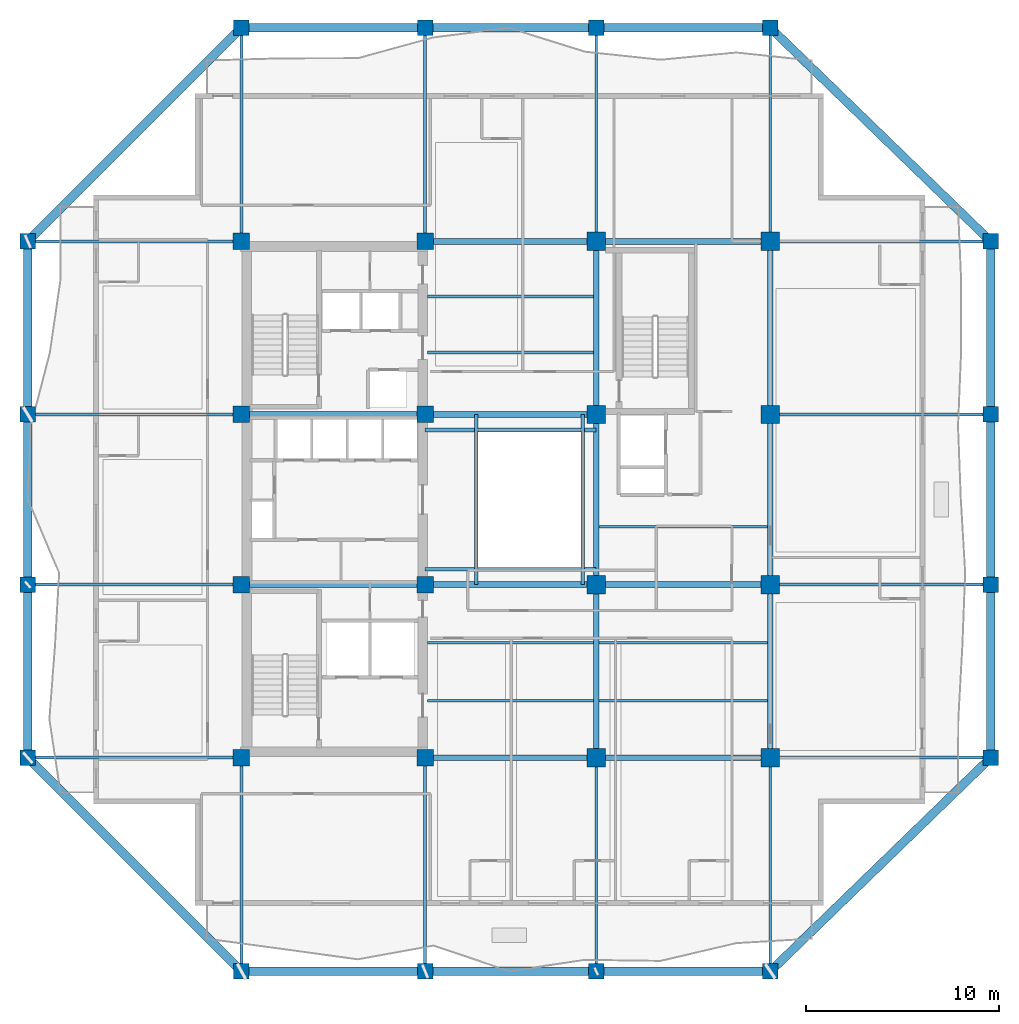
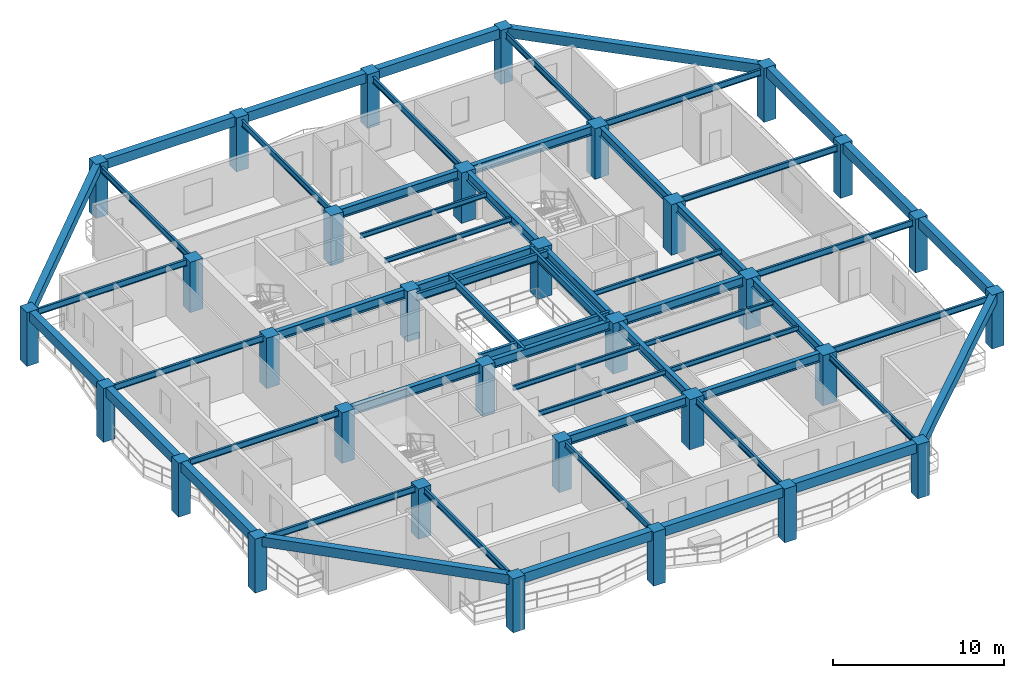
# One storey, part 1 of 13: 58 beams, 32 columns.
"""IFC4 building model written with IfcOpenShell, lengths in metres."""

from ifc_helpers import new_model, si_unit, direction, frame, origin, origin_2d, place, context, subcontext, project, spatial, rectangle, i_section, extrude, material, material_profile, profile_set, type_object, element, save


model = new_model("IFC4")

# Units and contexts
model_context = context("Model", 3, precision=1e-05, world=origin(), true_north=direction((0.0, 1.0)))
body_context = subcontext(model_context, "Body", "Model", "MODEL_VIEW")
ifc_project = project(units=[si_unit("LENGTHUNIT", "METRE"), si_unit("AREAUNIT", "SQUARE_METRE"), si_unit("VOLUMEUNIT", "CUBIC_METRE"), si_unit("PLANEANGLEUNIT", "RADIAN"), si_unit("MASSUNIT", "GRAM", prefix="KILO")], contexts=[model_context])

# Site, building, storey
site_placement = place(None, origin())
site = spatial("IfcSite", under=ifc_project, at=site_placement, CompositionType="ELEMENT")
building_placement = place(site_placement, origin())
building = spatial("IfcBuilding", under=site, at=building_placement, Name="Kundavana Baori Tower", CompositionType="ELEMENT")
storey_placement = place(building_placement, frame((0.0, 0.0, 177.14990234375)))
storey = spatial("IfcBuildingStorey", under=building, at=storey_placement, Name="L43", CompositionType="ELEMENT", Elevation=177.14990234375)

# Columns
ifc_material_1 = material(Name="Concrete C50/60", Category="concrete")
ifc_material_profile_1 = material_profile(ifc_material_1, rectangle(XDim=0.800048828125, YDim=0.800048828125, at=origin_2d()), Name="RC PF 800x800")
ifc_profile_set_1 = profile_set([ifc_material_profile_1], Name="Concrete C50/60")
column_type_1 = type_object("IfcColumnType", Name="COL-PF-800", PredefinedType="COLUMN", material=ifc_profile_set_1)
for number, where, z_axis, x_axis, name in (
    (1, (15.449951171875, 4.199951171875, 0.0), (0.0, 0.0, 1.0), (1.0, 0.0, 0.0), "L43 Stone-Clad Perimeter Frame Column PF-S1"),
    (2, (15.449951171875, 53.0, 0.0), (0.0, 0.0, 1.0), (1.0, 0.0, 0.0), "L43 Stone-Clad Perimeter Frame Column PF-N1"),
    (3, (24.949951171875, 4.199951171875, 0.0), (0.0, 0.0, 1.0), (1.0, 0.0, 0.0), "L43 Stone-Clad Perimeter Frame Column PF-S2"),
    (4, (24.949951171875, 53.0, 0.0), (0.0, 0.0, 1.0), (1.0, 0.0, 0.0), "L43 Stone-Clad Perimeter Frame Column PF-N2"),
    (5, (33.800048828125, 4.199951171875, 0.0), (0.0, 0.0, 1.0), (1.0, 0.0, 0.0), "L43 Stone-Clad Perimeter Frame Column PF-S3"),
    (6, (33.800048828125, 53.0, 0.0), (0.0, 0.0, 1.0), (1.0, 0.0, 0.0), "L43 Stone-Clad Perimeter Frame Column PF-N3"),
    (7, (42.800048828125, 4.199951171875, 0.0), (0.0, 0.0, 1.0), (1.0, 0.0, 0.0), "L43 Stone-Clad Perimeter Frame Column PF-S4"),
    (8, (42.800048828125, 53.0, 0.0), (0.0, 0.0, 1.0), (1.0, 0.0, 0.0), "L43 Stone-Clad Perimeter Frame Column PF-N4"),
    (9, (4.39990234375, 15.25, 0.0), (0.0, 0.0, 1.0), (1.0, 0.0, 0.0), "L43 Stone-Clad Perimeter Frame Column PF-W1"),
    (10, (54.199951171875, 15.25, 0.0), (0.0, 0.0, 1.0), (1.0, 0.0, 0.0), "L43 Stone-Clad Perimeter Frame Column PF-E1"),
    (11, (4.39990234375, 24.199951171875, 0.0), (0.0, 0.0, 1.0), (1.0, 0.0, 0.0), "L43 Stone-Clad Perimeter Frame Column PF-W2"),
    (12, (54.199951171875, 24.199951171875, 0.0), (0.0, 0.0, 1.0), (1.0, 0.0, 0.0), "L43 Stone-Clad Perimeter Frame Column PF-E2"),
    (13, (4.39990234375, 33.0, 0.0), (0.0, 0.0, 1.0), (1.0, 0.0, 0.0), "L43 Stone-Clad Perimeter Frame Column PF-W3"),
    (14, (54.199951171875, 33.0, 0.0), (0.0, 0.0, 1.0), (1.0, 0.0, 0.0), "L43 Stone-Clad Perimeter Frame Column PF-E3"),
    (15, (4.39990234375, 41.949951171875, 0.0), (0.0, 0.0, 1.0), (1.0, 0.0, 0.0), "L43 Stone-Clad Perimeter Frame Column PF-W4"),
    (16, (54.199951171875, 41.949951171875, 0.0), (0.0, 0.0, 1.0), (1.0, 0.0, 0.0), "L43 Stone-Clad Perimeter Frame Column PF-E4"),
):
    element("IfcColumn", number, at=place(storey_placement, frame(where, z_axis=z_axis, x_axis=x_axis)), inside=storey, type_object=column_type_1, Name=name, PredefinedType="COLUMN", context=body_context, shape_type="SweptSolid", body=[
        extrude(rectangle(XDim=0.800048828125, YDim=0.800048828125, at=origin_2d()), origin(), (0.0, 0.0, 1.0), 3.85009765625),
    ])
ifc_material_2 = material(Name="Concrete C50/60", Category="concrete")
ifc_material_profile_2 = material_profile(ifc_material_2, rectangle(XDim=0.85009765625, YDim=0.85009765625, at=origin_2d()), Name="RC 850x850")
ifc_profile_set_2 = profile_set([ifc_material_profile_2], Name="Concrete C50/60")
column_type_2 = type_object("IfcColumnType", Name="COL-RC-850", PredefinedType="COLUMN", material=ifc_profile_set_2)
for number, where, z_axis, x_axis, name in (
    (17, (15.449951171875, 15.25, 0.0), (0.0, 0.0, 1.0), (1.0, 0.0, 0.0), "L43 Interior Column IC-3C"),
    (18, (15.449951171875, 24.199951171875, 0.0), (0.0, 0.0, 1.0), (1.0, 0.0, 0.0), "L43 Interior Column IC-3D"),
    (19, (15.449951171875, 33.0, 0.0), (0.0, 0.0, 1.0), (1.0, 0.0, 0.0), "L43 Interior Column IC-3E"),
    (20, (15.449951171875, 41.949951171875, 0.0), (0.0, 0.0, 1.0), (1.0, 0.0, 0.0), "L43 Interior Column IC-3F"),
    (21, (24.949951171875, 15.25, 0.0), (0.0, 0.0, 1.0), (1.0, 0.0, 0.0), "L43 Interior Column IC-4C"),
    (22, (24.949951171875, 24.199951171875, 0.0), (0.0, 0.0, 1.0), (1.0, 0.0, 0.0), "L43 Interior Column IC-4D"),
    (23, (24.949951171875, 33.0, 0.0), (0.0, 0.0, 1.0), (1.0, 0.0, 0.0), "L43 Interior Column IC-4E"),
    (24, (24.949951171875, 41.949951171875, 0.0), (0.0, 0.0, 1.0), (1.0, 0.0, 0.0), "L43 Interior Column IC-4F"),
):
    element("IfcColumn", number, at=place(storey_placement, frame(where, z_axis=z_axis, x_axis=x_axis)), inside=storey, type_object=column_type_2, Name=name, PredefinedType="COLUMN", context=body_context, shape_type="SweptSolid", body=[
        extrude(rectangle(XDim=0.85009765625, YDim=0.85009765625, at=origin_2d()), origin(), (0.0, 0.0, 1.0), 3.60009765625),
    ])
ifc_material_3 = material(Name="Concrete C50/60", Category="concrete")
ifc_material_profile_3 = material_profile(ifc_material_3, rectangle(XDim=0.949951171875, YDim=0.949951171875, at=origin_2d()), Name="RC 950x950")
ifc_profile_set_3 = profile_set([ifc_material_profile_3], Name="Concrete C50/60")
column_type_3 = type_object("IfcColumnType", Name="COL-RC-950", PredefinedType="COLUMN", material=ifc_profile_set_3)
for number, where, z_axis, x_axis, name in (
    (25, (33.800048828125, 15.25, 0.0), (0.0, 0.0, 1.0), (1.0, 0.0, 0.0), "L43 Interior Column IC-5C"),
    (26, (33.800048828125, 24.199951171875, 0.0), (0.0, 0.0, 1.0), (1.0, 0.0, 0.0), "L43 Interior Column IC-5D"),
    (27, (33.800048828125, 33.0, 0.0), (0.0, 0.0, 1.0), (1.0, 0.0, 0.0), "L43 Interior Column IC-5E"),
    (28, (33.800048828125, 41.949951171875, 0.0), (0.0, 0.0, 1.0), (1.0, 0.0, 0.0), "L43 Interior Column IC-5F"),
    (29, (42.800048828125, 15.25, 0.0), (0.0, 0.0, 1.0), (1.0, 0.0, 0.0), "L43 Interior Column IC-6C"),
    (30, (42.800048828125, 24.199951171875, 0.0), (0.0, 0.0, 1.0), (1.0, 0.0, 0.0), "L43 Interior Column IC-6D"),
    (31, (42.800048828125, 33.0, 0.0), (0.0, 0.0, 1.0), (1.0, 0.0, 0.0), "L43 Interior Column IC-6E"),
    (32, (42.800048828125, 41.949951171875, 0.0), (0.0, 0.0, 1.0), (1.0, 0.0, 0.0), "L43 Interior Column IC-6F"),
):
    element("IfcColumn", number, at=place(storey_placement, frame(where, z_axis=z_axis, x_axis=x_axis)), inside=storey, type_object=column_type_3, Name=name, PredefinedType="COLUMN", context=body_context, shape_type="SweptSolid", body=[
        extrude(rectangle(XDim=0.949951171875, YDim=0.949951171875, at=origin_2d()), origin(), (0.0, 0.0, 1.0), 3.60009765625),
    ])

# Beams
ifc_material_4 = material(Name="Structural Steel S355JR", Category="steel")
ifc_material_profile_4 = material_profile(ifc_material_4, i_section(OverallWidth=0.139892578125, OverallDepth=0.35009765625, WebThickness=0.008056640625, FlangeThickness=0.01416015625, FilletRadius=0.013916015625, at=origin_2d()), Name="ISMB 350")
ifc_profile_set_4 = profile_set([ifc_material_profile_4], Name="Structural Steel S355JR")
beam_type_1 = type_object("IfcBeamType", Name="BM-JST-350", PredefinedType="JOIST", material=ifc_profile_set_4)
for number, where, z_axis, x_axis, name in (
    (33, (25.080078125, 18.199951171875, 3.425048828125), (1.0, 0.0, 0.0), (0.0, 1.0, 0.0), "L43 Central Bay Composite Floor Joist C1"),
    (34, (25.080078125, 21.199951171875, 3.425048828125), (1.0, 0.0, 0.0), (0.0, 1.0, 0.0), "L43 Central Bay Composite Floor Joist C2"),
    (35, (25.080078125, 36.199951171875, 3.425048828125), (1.0, 0.0, 0.0), (0.0, 1.0, 0.0), "L43 Central Bay Composite Floor Joist C3"),
    (36, (25.080078125, 39.10009765625, 3.425048828125), (1.0, 0.0, 0.0), (0.0, 1.0, 0.0), "L43 Central Bay Composite Floor Joist C4"),
):
    element("IfcBeam", number, at=place(storey_placement, frame(where, z_axis=z_axis, x_axis=x_axis)), inside=storey, type_object=beam_type_1, Name=name, PredefinedType="JOIST", context=body_context, shape_type="SweptSolid", body=[
        extrude(i_section(OverallWidth=0.139892578125, OverallDepth=0.35009765625, WebThickness=0.008056640625, FlangeThickness=0.01416015625, FilletRadius=0.013916015625, at=origin_2d()), origin(), (0.0, 0.0, 1.0), 8.56982421875),
    ])
for number, where, z_axis, x_axis, name in (
    (37, (33.949951171875, 18.199951171875, 3.425048828125), (1.0, 0.0, 0.0), (0.0, 1.0, 0.0), "L43 East Bay Composite Floor Joist E1"),
    (38, (33.949951171875, 21.199951171875, 3.425048828125), (1.0, 0.0, 0.0), (0.0, 1.0, 0.0), "L43 East Bay Composite Floor Joist E2"),
    (39, (33.949951171875, 27.199951171875, 3.425048828125), (1.0, 0.0, 0.0), (0.0, 1.0, 0.0), "L43 East Bay Composite Floor Joist E3"),
):
    element("IfcBeam", number, at=place(storey_placement, frame(where, z_axis=z_axis, x_axis=x_axis)), inside=storey, type_object=beam_type_1, Name=name, PredefinedType="JOIST", context=body_context, shape_type="SweptSolid", body=[
        extrude(i_section(OverallWidth=0.139892578125, OverallDepth=0.35009765625, WebThickness=0.008056640625, FlangeThickness=0.01416015625, FilletRadius=0.013916015625, at=origin_2d()), origin(), (0.0, 0.0, 1.0), 8.699951171875),
    ])
ifc_material_5 = material(Name="Concrete C50/60", Category="concrete")
ifc_material_profile_5 = material_profile(ifc_material_5, rectangle(XDim=0.449951171875, YDim=0.679931640625, at=origin_2d()), Name="RC BM 450x680")
ifc_profile_set_5 = profile_set([ifc_material_profile_5], Name="Concrete C50/60")
beam_type_2 = type_object("IfcBeamType", Name="BM-PF-680", PredefinedType="SPANDREL", material=ifc_profile_set_5)
beam_1_placement = place(storey_placement, frame((15.449951171875, 4.199951171875, 3.510009765625), z_axis=(1.0, 0.0, 0.0), x_axis=(0.0, 1.0, 0.0)))
element("IfcBeam", 40, at=beam_1_placement, inside=storey, type_object=beam_type_2, Name="L43 Perimeter Frame Ring Beam S1", PredefinedType="SPANDREL", context=body_context, shape_type="SweptSolid", body=[
    extrude(rectangle(XDim=0.449951171875, YDim=0.679931640625, at=origin_2d()), origin(), (0.0, 0.0, 1.0), 9.5),
])
beam_2_placement = place(storey_placement, frame((24.949951171875, 4.199951171875, 3.510009765625), z_axis=(1.0, 0.0, 0.0), x_axis=(0.0, 1.0, 0.0)))
element("IfcBeam", 41, at=beam_2_placement, inside=storey, type_object=beam_type_2, Name="L43 Perimeter Frame Ring Beam S2", PredefinedType="SPANDREL", context=body_context, shape_type="SweptSolid", body=[
    extrude(rectangle(XDim=0.449951171875, YDim=0.679931640625, at=origin_2d()), origin(), (0.0, 0.0, 1.0), 8.85009765625),
])
beam_3_placement = place(storey_placement, frame((33.800048828125, 4.199951171875, 3.510009765625), z_axis=(1.0, 0.0, 0.0), x_axis=(0.0, 1.0, 0.0)))
element("IfcBeam", 42, at=beam_3_placement, inside=storey, type_object=beam_type_2, Name="L43 Perimeter Frame Ring Beam S3", PredefinedType="SPANDREL", context=body_context, shape_type="SweptSolid", body=[
    extrude(rectangle(XDim=0.449951171875, YDim=0.679931640625, at=origin_2d()), origin(), (0.0, 0.0, 1.0), 9.0),
])
beam_4_placement = place(storey_placement, frame((15.449951171875, 53.0, 3.510009765625), z_axis=(1.0, 0.0, 0.0), x_axis=(0.0, 1.0, 0.0)))
element("IfcBeam", 43, at=beam_4_placement, inside=storey, type_object=beam_type_2, Name="L43 Perimeter Frame Ring Beam N1", PredefinedType="SPANDREL", context=body_context, shape_type="SweptSolid", body=[
    extrude(rectangle(XDim=0.449951171875, YDim=0.679931640625, at=origin_2d()), origin(), (0.0, 0.0, 1.0), 9.5),
])
beam_5_placement = place(storey_placement, frame((24.949951171875, 53.0, 3.510009765625), z_axis=(1.0, 0.0, 0.0), x_axis=(0.0, 1.0, 0.0)))
element("IfcBeam", 44, at=beam_5_placement, inside=storey, type_object=beam_type_2, Name="L43 Perimeter Frame Ring Beam N2", PredefinedType="SPANDREL", context=body_context, shape_type="SweptSolid", body=[
    extrude(rectangle(XDim=0.449951171875, YDim=0.679931640625, at=origin_2d()), origin(), (0.0, 0.0, 1.0), 8.85009765625),
])
beam_6_placement = place(storey_placement, frame((33.800048828125, 53.0, 3.510009765625), z_axis=(1.0, 0.0, 0.0), x_axis=(0.0, 1.0, 0.0)))
element("IfcBeam", 45, at=beam_6_placement, inside=storey, type_object=beam_type_2, Name="L43 Perimeter Frame Ring Beam N3", PredefinedType="SPANDREL", context=body_context, shape_type="SweptSolid", body=[
    extrude(rectangle(XDim=0.449951171875, YDim=0.679931640625, at=origin_2d()), origin(), (0.0, 0.0, 1.0), 9.0),
])
beam_7_placement = place(storey_placement, frame((4.39990234375, 15.25, 3.510009765625), z_axis=(0.0, 1.0, 0.0), x_axis=(-1.0, 0.0, 0.0)))
element("IfcBeam", 46, at=beam_7_placement, inside=storey, type_object=beam_type_2, Name="L43 Perimeter Frame Ring Beam W1", PredefinedType="SPANDREL", context=body_context, shape_type="SweptSolid", body=[
    extrude(rectangle(XDim=0.449951171875, YDim=0.679931640625, at=origin_2d()), origin(), (0.0, 0.0, 1.0), 8.949951171875),
])
beam_8_placement = place(storey_placement, frame((4.39990234375, 24.199951171875, 3.510009765625), z_axis=(0.0, 1.0, 0.0), x_axis=(-1.0, 0.0, 0.0)))
element("IfcBeam", 47, at=beam_8_placement, inside=storey, type_object=beam_type_2, Name="L43 Perimeter Frame Ring Beam W2", PredefinedType="SPANDREL", context=body_context, shape_type="SweptSolid", body=[
    extrude(rectangle(XDim=0.449951171875, YDim=0.679931640625, at=origin_2d()), origin(), (0.0, 0.0, 1.0), 8.800048828125),
])
for number, where, z_axis, x_axis, name in (
    (48, (4.39990234375, 33.0, 3.510009765625), (0.0, 1.0, 0.0), (-1.0, 0.0, 0.0), "L43 Perimeter Frame Ring Beam W3"),
    (49, (54.199951171875, 15.25, 3.510009765625), (0.0, 1.0, 0.0), (-1.0, 0.0, 0.0), "L43 Perimeter Frame Ring Beam E1"),
):
    element("IfcBeam", number, at=place(storey_placement, frame(where, z_axis=z_axis, x_axis=x_axis)), inside=storey, type_object=beam_type_2, Name=name, PredefinedType="SPANDREL", context=body_context, shape_type="SweptSolid", body=[
        extrude(rectangle(XDim=0.449951171875, YDim=0.679931640625, at=origin_2d()), origin(), (0.0, 0.0, 1.0), 8.949951171875),
    ])
beam_9_placement = place(storey_placement, frame((54.199951171875, 24.199951171875, 3.510009765625), z_axis=(0.0, 1.0, 0.0), x_axis=(-1.0, 0.0, 0.0)))
element("IfcBeam", 50, at=beam_9_placement, inside=storey, type_object=beam_type_2, Name="L43 Perimeter Frame Ring Beam E2", PredefinedType="SPANDREL", context=body_context, shape_type="SweptSolid", body=[
    extrude(rectangle(XDim=0.449951171875, YDim=0.679931640625, at=origin_2d()), origin(), (0.0, 0.0, 1.0), 8.800048828125),
])
beam_10_placement = place(storey_placement, frame((54.199951171875, 33.0, 3.510009765625), z_axis=(0.0, 1.0, 0.0), x_axis=(-1.0, 0.0, 0.0)))
element("IfcBeam", 51, at=beam_10_placement, inside=storey, type_object=beam_type_2, Name="L43 Perimeter Frame Ring Beam E3", PredefinedType="SPANDREL", context=body_context, shape_type="SweptSolid", body=[
    extrude(rectangle(XDim=0.449951171875, YDim=0.679931640625, at=origin_2d()), origin(), (0.0, 0.0, 1.0), 8.949951171875),
])
beam_11_placement = place(storey_placement, frame((15.449951171875, 4.199951171875, 3.510009765625), z_axis=(-0.707106781187, 0.707106781187, 0.0), x_axis=(-0.707106781187, -0.707106781187, 0.0)))
element("IfcBeam", 52, at=beam_11_placement, inside=storey, type_object=beam_type_2, Name="L43 Notched Corner Perimeter Beam SW", PredefinedType="SPANDREL", context=body_context, shape_type="SweptSolid", body=[
    extrude(rectangle(XDim=0.449951171875, YDim=0.679931640625, at=origin_2d()), origin(), (0.0, 0.0, 1.0), 15.627197265625),
])
beam_12_placement = place(storey_placement, frame((42.800048828125, 4.199951171875, 3.510009765625), z_axis=(0.718038944492, 0.696002926857, 0.0), x_axis=(-0.696002926857, 0.718038944492, 0.0)))
element("IfcBeam", 53, at=beam_12_placement, inside=storey, type_object=beam_type_2, Name="L43 Notched Corner Perimeter Beam SE", PredefinedType="SPANDREL", context=body_context, shape_type="SweptSolid", body=[
    extrude(rectangle(XDim=0.449951171875, YDim=0.679931640625, at=origin_2d()), origin(), (0.0, 0.0, 1.0), 15.87646484375),
])
beam_13_placement = place(storey_placement, frame((15.449951171875, 53.0, 3.510009765625), z_axis=(-0.707106781187, -0.707106781187, 0.0), x_axis=(0.707106781187, -0.707106781187, 0.0)))
element("IfcBeam", 54, at=beam_13_placement, inside=storey, type_object=beam_type_2, Name="L43 Notched Corner Perimeter Beam NW", PredefinedType="SPANDREL", context=body_context, shape_type="SweptSolid", body=[
    extrude(rectangle(XDim=0.449951171875, YDim=0.679931640625, at=origin_2d()), origin(), (0.0, 0.0, 1.0), 15.627197265625),
])
beam_14_placement = place(storey_placement, frame((42.800048828125, 53.0, 3.510009765625), z_axis=(0.718038944492, -0.696002926857, 0.0), x_axis=(0.696002926857, 0.718038944492, 0.0)))
element("IfcBeam", 55, at=beam_14_placement, inside=storey, type_object=beam_type_2, Name="L43 Notched Corner Perimeter Beam NE", PredefinedType="SPANDREL", context=body_context, shape_type="SweptSolid", body=[
    extrude(rectangle(XDim=0.449951171875, YDim=0.679931640625, at=origin_2d()), origin(), (0.0, 0.0, 1.0), 15.87646484375),
])
ifc_material_6 = material(Name="Structural Steel S355JR", Category="steel")
ifc_material_profile_6 = material_profile(ifc_material_6, i_section(OverallWidth=0.18994140625, OverallDepth=0.550048828125, WebThickness=0.01123046875, FlangeThickness=0.019287109375, FilletRadius=0.01806640625, at=origin_2d()), Name="ISMB 550")
ifc_profile_set_6 = profile_set([ifc_material_profile_6], Name="Structural Steel S355JR")
beam_type_3 = type_object("IfcBeamType", Name="BM-ST-550", PredefinedType="BEAM", material=ifc_profile_set_6)
for number, where, z_axis, x_axis, name in (
    (56, (27.60009765625, 24.199951171875, 3.3251953125), (0.0, 1.0, 0.0), (-1.0, 0.0, 0.0), "L43 Atrium West Edge Beam"),
    (57, (33.10009765625, 24.199951171875, 3.3251953125), (0.0, 1.0, 0.0), (-1.0, 0.0, 0.0), "L43 Atrium East Edge Beam"),
):
    element("IfcBeam", number, at=place(storey_placement, frame(where, z_axis=z_axis, x_axis=x_axis)), inside=storey, type_object=beam_type_3, Name=name, PredefinedType="BEAM", context=body_context, shape_type="SweptSolid", body=[
        extrude(i_section(OverallWidth=0.18994140625, OverallDepth=0.550048828125, WebThickness=0.01123046875, FlangeThickness=0.019287109375, FilletRadius=0.01806640625, at=origin_2d()), origin(), (0.0, 0.0, 1.0), 8.800048828125),
    ])
for number, where, z_axis, x_axis, name in (
    (58, (24.949951171875, 25.0, 3.3251953125), (1.0, 0.0, 0.0), (0.0, 1.0, 0.0), "L43 Atrium South Edge Beam"),
    (59, (24.949951171875, 32.199951171875, 3.3251953125), (1.0, 0.0, 0.0), (0.0, 1.0, 0.0), "L43 Atrium North Edge Beam"),
):
    element("IfcBeam", number, at=place(storey_placement, frame(where, z_axis=z_axis, x_axis=x_axis)), inside=storey, type_object=beam_type_3, Name=name, PredefinedType="BEAM", context=body_context, shape_type="SweptSolid", body=[
        extrude(i_section(OverallWidth=0.18994140625, OverallDepth=0.550048828125, WebThickness=0.01123046875, FlangeThickness=0.019287109375, FilletRadius=0.01806640625, at=origin_2d()), origin(), (0.0, 0.0, 1.0), 8.85009765625),
    ])
ifc_material_7 = material(Name="Structural Steel S355JR", Category="steel")
ifc_material_profile_7 = material_profile(ifc_material_7, i_section(OverallWidth=0.300048828125, OverallDepth=0.64990234375, WebThickness=0.013427734375, FlangeThickness=0.02197265625, FilletRadius=0.02392578125, at=origin_2d()), Name="NPB 650x300x155")
ifc_profile_set_7 = profile_set([ifc_material_profile_7], Name="Structural Steel S355JR")
beam_type_4 = type_object("IfcBeamType", Name="BM-ST-650", PredefinedType="BEAM", material=ifc_profile_set_7)
beam_15_placement = place(storey_placement, frame((24.949951171875, 15.25, 3.275146484375), z_axis=(1.0, 0.0, 0.0), x_axis=(0.0, 1.0, 0.0)))
element("IfcBeam", 60, at=beam_15_placement, inside=storey, type_object=beam_type_4, Name="L43 Primary Grid Girder GX-1-2", PredefinedType="BEAM", context=body_context, shape_type="SweptSolid", body=[
    extrude(i_section(OverallWidth=0.300048828125, OverallDepth=0.64990234375, WebThickness=0.013427734375, FlangeThickness=0.02197265625, FilletRadius=0.02392578125, at=origin_2d()), origin(), (0.0, 0.0, 1.0), 8.85009765625),
])
beam_16_placement = place(storey_placement, frame((33.800048828125, 15.25, 3.275146484375), z_axis=(1.0, 0.0, 0.0), x_axis=(0.0, 1.0, 0.0)))
element("IfcBeam", 61, at=beam_16_placement, inside=storey, type_object=beam_type_4, Name="L43 Primary Grid Girder GX-1-3", PredefinedType="BEAM", context=body_context, shape_type="SweptSolid", body=[
    extrude(i_section(OverallWidth=0.300048828125, OverallDepth=0.64990234375, WebThickness=0.013427734375, FlangeThickness=0.02197265625, FilletRadius=0.02392578125, at=origin_2d()), origin(), (0.0, 0.0, 1.0), 9.0),
])
beam_17_placement = place(storey_placement, frame((15.449951171875, 24.199951171875, 3.275146484375), z_axis=(1.0, 0.0, 0.0), x_axis=(0.0, 1.0, 0.0)))
element("IfcBeam", 62, at=beam_17_placement, inside=storey, type_object=beam_type_4, Name="L43 Primary Grid Girder GX-2-1", PredefinedType="BEAM", context=body_context, shape_type="SweptSolid", body=[
    extrude(i_section(OverallWidth=0.300048828125, OverallDepth=0.64990234375, WebThickness=0.013427734375, FlangeThickness=0.02197265625, FilletRadius=0.02392578125, at=origin_2d()), origin(), (0.0, 0.0, 1.0), 9.5),
])
beam_18_placement = place(storey_placement, frame((24.949951171875, 24.199951171875, 3.275146484375), z_axis=(1.0, 0.0, 0.0), x_axis=(0.0, 1.0, 0.0)))
element("IfcBeam", 63, at=beam_18_placement, inside=storey, type_object=beam_type_4, Name="L43 Primary Grid Girder GX-2-2", PredefinedType="BEAM", context=body_context, shape_type="SweptSolid", body=[
    extrude(i_section(OverallWidth=0.300048828125, OverallDepth=0.64990234375, WebThickness=0.013427734375, FlangeThickness=0.02197265625, FilletRadius=0.02392578125, at=origin_2d()), origin(), (0.0, 0.0, 1.0), 8.85009765625),
])
beam_19_placement = place(storey_placement, frame((33.800048828125, 24.199951171875, 3.275146484375), z_axis=(1.0, 0.0, 0.0), x_axis=(0.0, 1.0, 0.0)))
element("IfcBeam", 64, at=beam_19_placement, inside=storey, type_object=beam_type_4, Name="L43 Primary Grid Girder GX-2-3", PredefinedType="BEAM", context=body_context, shape_type="SweptSolid", body=[
    extrude(i_section(OverallWidth=0.300048828125, OverallDepth=0.64990234375, WebThickness=0.013427734375, FlangeThickness=0.02197265625, FilletRadius=0.02392578125, at=origin_2d()), origin(), (0.0, 0.0, 1.0), 9.0),
])
beam_20_placement = place(storey_placement, frame((15.449951171875, 33.0, 3.275146484375), z_axis=(1.0, 0.0, 0.0), x_axis=(0.0, 1.0, 0.0)))
element("IfcBeam", 65, at=beam_20_placement, inside=storey, type_object=beam_type_4, Name="L43 Primary Grid Girder GX-3-1", PredefinedType="BEAM", context=body_context, shape_type="SweptSolid", body=[
    extrude(i_section(OverallWidth=0.300048828125, OverallDepth=0.64990234375, WebThickness=0.013427734375, FlangeThickness=0.02197265625, FilletRadius=0.02392578125, at=origin_2d()), origin(), (0.0, 0.0, 1.0), 9.5),
])
for number, where, z_axis, x_axis, name in (
    (66, (24.949951171875, 33.0, 3.275146484375), (1.0, 0.0, 0.0), (0.0, 1.0, 0.0), "L43 Primary Grid Girder GX-3-2"),
    (67, (24.949951171875, 41.949951171875, 3.275146484375), (1.0, 0.0, 0.0), (0.0, 1.0, 0.0), "L43 Primary Grid Girder GX-4-2"),
):
    element("IfcBeam", number, at=place(storey_placement, frame(where, z_axis=z_axis, x_axis=x_axis)), inside=storey, type_object=beam_type_4, Name=name, PredefinedType="BEAM", context=body_context, shape_type="SweptSolid", body=[
        extrude(i_section(OverallWidth=0.300048828125, OverallDepth=0.64990234375, WebThickness=0.013427734375, FlangeThickness=0.02197265625, FilletRadius=0.02392578125, at=origin_2d()), origin(), (0.0, 0.0, 1.0), 8.85009765625),
    ])
beam_21_placement = place(storey_placement, frame((33.800048828125, 41.949951171875, 3.275146484375), z_axis=(1.0, 0.0, 0.0), x_axis=(0.0, 1.0, 0.0)))
element("IfcBeam", 68, at=beam_21_placement, inside=storey, type_object=beam_type_4, Name="L43 Primary Grid Girder GX-4-3", PredefinedType="BEAM", context=body_context, shape_type="SweptSolid", body=[
    extrude(i_section(OverallWidth=0.300048828125, OverallDepth=0.64990234375, WebThickness=0.013427734375, FlangeThickness=0.02197265625, FilletRadius=0.02392578125, at=origin_2d()), origin(), (0.0, 0.0, 1.0), 9.0),
])
beam_22_placement = place(storey_placement, frame((33.800048828125, 15.25, 3.275146484375), z_axis=(0.0, 1.0, 0.0), x_axis=(-1.0, 0.0, 0.0)))
element("IfcBeam", 69, at=beam_22_placement, inside=storey, type_object=beam_type_4, Name="L43 Primary Grid Girder GY-3-1", PredefinedType="BEAM", context=body_context, shape_type="SweptSolid", body=[
    extrude(i_section(OverallWidth=0.300048828125, OverallDepth=0.64990234375, WebThickness=0.013427734375, FlangeThickness=0.02197265625, FilletRadius=0.02392578125, at=origin_2d()), origin(), (0.0, 0.0, 1.0), 8.949951171875),
])
beam_23_placement = place(storey_placement, frame((33.800048828125, 24.199951171875, 3.275146484375), z_axis=(0.0, 1.0, 0.0), x_axis=(-1.0, 0.0, 0.0)))
element("IfcBeam", 70, at=beam_23_placement, inside=storey, type_object=beam_type_4, Name="L43 Primary Grid Girder GY-3-2", PredefinedType="BEAM", context=body_context, shape_type="SweptSolid", body=[
    extrude(i_section(OverallWidth=0.300048828125, OverallDepth=0.64990234375, WebThickness=0.013427734375, FlangeThickness=0.02197265625, FilletRadius=0.02392578125, at=origin_2d()), origin(), (0.0, 0.0, 1.0), 8.800048828125),
])
for number, where, z_axis, x_axis, name in (
    (71, (33.800048828125, 33.0, 3.275146484375), (0.0, 1.0, 0.0), (-1.0, 0.0, 0.0), "L43 Primary Grid Girder GY-3-3"),
    (72, (42.800048828125, 15.25, 3.275146484375), (0.0, 1.0, 0.0), (-1.0, 0.0, 0.0), "L43 Primary Grid Girder GY-4-1"),
):
    element("IfcBeam", number, at=place(storey_placement, frame(where, z_axis=z_axis, x_axis=x_axis)), inside=storey, type_object=beam_type_4, Name=name, PredefinedType="BEAM", context=body_context, shape_type="SweptSolid", body=[
        extrude(i_section(OverallWidth=0.300048828125, OverallDepth=0.64990234375, WebThickness=0.013427734375, FlangeThickness=0.02197265625, FilletRadius=0.02392578125, at=origin_2d()), origin(), (0.0, 0.0, 1.0), 8.949951171875),
    ])
beam_24_placement = place(storey_placement, frame((42.800048828125, 24.199951171875, 3.275146484375), z_axis=(0.0, 1.0, 0.0), x_axis=(-1.0, 0.0, 0.0)))
element("IfcBeam", 73, at=beam_24_placement, inside=storey, type_object=beam_type_4, Name="L43 Primary Grid Girder GY-4-2", PredefinedType="BEAM", context=body_context, shape_type="SweptSolid", body=[
    extrude(i_section(OverallWidth=0.300048828125, OverallDepth=0.64990234375, WebThickness=0.013427734375, FlangeThickness=0.02197265625, FilletRadius=0.02392578125, at=origin_2d()), origin(), (0.0, 0.0, 1.0), 8.800048828125),
])
beam_25_placement = place(storey_placement, frame((42.800048828125, 33.0, 3.275146484375), z_axis=(0.0, 1.0, 0.0), x_axis=(-1.0, 0.0, 0.0)))
element("IfcBeam", 74, at=beam_25_placement, inside=storey, type_object=beam_type_4, Name="L43 Primary Grid Girder GY-4-3", PredefinedType="BEAM", context=body_context, shape_type="SweptSolid", body=[
    extrude(i_section(OverallWidth=0.300048828125, OverallDepth=0.64990234375, WebThickness=0.013427734375, FlangeThickness=0.02197265625, FilletRadius=0.02392578125, at=origin_2d()), origin(), (0.0, 0.0, 1.0), 8.949951171875),
])
ifc_material_8 = material(Name="Structural Steel S355JR", Category="steel")
ifc_material_profile_8 = material_profile(ifc_material_8, i_section(OverallWidth=0.14990234375, OverallDepth=0.449951171875, WebThickness=0.009521484375, FlangeThickness=0.017333984375, FilletRadius=0.014892578125, at=origin_2d()), Name="ISMB 450")
ifc_profile_set_8 = profile_set([ifc_material_profile_8], Name="Structural Steel S355JR")
beam_type_5 = type_object("IfcBeamType", Name="BM-TIE-450", PredefinedType="BEAM", material=ifc_profile_set_8)
for number, where, z_axis, x_axis, name in (
    (75, (15.449951171875, 15.25, 3.375), (0.0, -1.0, 0.0), (1.0, 0.0, 0.0), "L43 South Radial Loggia Tie Beam S1"),
    (76, (15.449951171875, 41.949951171875, 3.375), (0.0, 1.0, 0.0), (-1.0, 0.0, 0.0), "L43 North Radial Loggia Tie Beam N1"),
    (77, (24.949951171875, 15.25, 3.375), (0.0, -1.0, 0.0), (1.0, 0.0, 0.0), "L43 South Radial Loggia Tie Beam S2"),
    (78, (24.949951171875, 41.949951171875, 3.375), (0.0, 1.0, 0.0), (-1.0, 0.0, 0.0), "L43 North Radial Loggia Tie Beam N2"),
    (79, (33.800048828125, 15.25, 3.375), (0.0, -1.0, 0.0), (1.0, 0.0, 0.0), "L43 South Radial Loggia Tie Beam S3"),
    (80, (33.800048828125, 41.949951171875, 3.375), (0.0, 1.0, 0.0), (-1.0, 0.0, 0.0), "L43 North Radial Loggia Tie Beam N3"),
    (81, (42.800048828125, 15.25, 3.375), (0.0, -1.0, 0.0), (1.0, 0.0, 0.0), "L43 South Radial Loggia Tie Beam S4"),
    (82, (42.800048828125, 41.949951171875, 3.375), (0.0, 1.0, 0.0), (-1.0, 0.0, 0.0), "L43 North Radial Loggia Tie Beam N4"),
    (83, (15.449951171875, 15.25, 3.375), (-1.0, 0.0, 0.0), (0.0, -1.0, 0.0), "L43 West Radial Loggia Tie Beam W1"),
):
    element("IfcBeam", number, at=place(storey_placement, frame(where, z_axis=z_axis, x_axis=x_axis)), inside=storey, type_object=beam_type_5, Name=name, PredefinedType="BEAM", context=body_context, shape_type="SweptSolid", body=[
        extrude(i_section(OverallWidth=0.14990234375, OverallDepth=0.449951171875, WebThickness=0.009521484375, FlangeThickness=0.017333984375, FilletRadius=0.014892578125, at=origin_2d()), origin(), (0.0, 0.0, 1.0), 11.050048828125),
    ])
beam_26_placement = place(storey_placement, frame((42.800048828125, 15.25, 3.375), z_axis=(1.0, 0.0, 0.0), x_axis=(0.0, 1.0, 0.0)))
element("IfcBeam", 84, at=beam_26_placement, inside=storey, type_object=beam_type_5, Name="L43 East Radial Loggia Tie Beam E1", PredefinedType="BEAM", context=body_context, shape_type="SweptSolid", body=[
    extrude(i_section(OverallWidth=0.14990234375, OverallDepth=0.449951171875, WebThickness=0.009521484375, FlangeThickness=0.017333984375, FilletRadius=0.014892578125, at=origin_2d()), origin(), (0.0, 0.0, 1.0), 11.39990234375),
])
beam_27_placement = place(storey_placement, frame((15.449951171875, 24.199951171875, 3.375), z_axis=(-1.0, 0.0, 0.0), x_axis=(0.0, -1.0, 0.0)))
element("IfcBeam", 85, at=beam_27_placement, inside=storey, type_object=beam_type_5, Name="L43 West Radial Loggia Tie Beam W2", PredefinedType="BEAM", context=body_context, shape_type="SweptSolid", body=[
    extrude(i_section(OverallWidth=0.14990234375, OverallDepth=0.449951171875, WebThickness=0.009521484375, FlangeThickness=0.017333984375, FilletRadius=0.014892578125, at=origin_2d()), origin(), (0.0, 0.0, 1.0), 11.050048828125),
])
beam_28_placement = place(storey_placement, frame((42.800048828125, 24.199951171875, 3.375), z_axis=(1.0, 0.0, 0.0), x_axis=(0.0, 1.0, 0.0)))
element("IfcBeam", 86, at=beam_28_placement, inside=storey, type_object=beam_type_5, Name="L43 East Radial Loggia Tie Beam E2", PredefinedType="BEAM", context=body_context, shape_type="SweptSolid", body=[
    extrude(i_section(OverallWidth=0.14990234375, OverallDepth=0.449951171875, WebThickness=0.009521484375, FlangeThickness=0.017333984375, FilletRadius=0.014892578125, at=origin_2d()), origin(), (0.0, 0.0, 1.0), 11.39990234375),
])
beam_29_placement = place(storey_placement, frame((15.449951171875, 33.0, 3.375), z_axis=(-1.0, 0.0, 0.0), x_axis=(0.0, -1.0, 0.0)))
element("IfcBeam", 87, at=beam_29_placement, inside=storey, type_object=beam_type_5, Name="L43 West Radial Loggia Tie Beam W3", PredefinedType="BEAM", context=body_context, shape_type="SweptSolid", body=[
    extrude(i_section(OverallWidth=0.14990234375, OverallDepth=0.449951171875, WebThickness=0.009521484375, FlangeThickness=0.017333984375, FilletRadius=0.014892578125, at=origin_2d()), origin(), (0.0, 0.0, 1.0), 11.050048828125),
])
beam_30_placement = place(storey_placement, frame((42.800048828125, 33.0, 3.375), z_axis=(1.0, 0.0, 0.0), x_axis=(0.0, 1.0, 0.0)))
element("IfcBeam", 88, at=beam_30_placement, inside=storey, type_object=beam_type_5, Name="L43 East Radial Loggia Tie Beam E3", PredefinedType="BEAM", context=body_context, shape_type="SweptSolid", body=[
    extrude(i_section(OverallWidth=0.14990234375, OverallDepth=0.449951171875, WebThickness=0.009521484375, FlangeThickness=0.017333984375, FilletRadius=0.014892578125, at=origin_2d()), origin(), (0.0, 0.0, 1.0), 11.39990234375),
])
beam_31_placement = place(storey_placement, frame((15.449951171875, 41.949951171875, 3.375), z_axis=(-1.0, 0.0, 0.0), x_axis=(0.0, -1.0, 0.0)))
element("IfcBeam", 89, at=beam_31_placement, inside=storey, type_object=beam_type_5, Name="L43 West Radial Loggia Tie Beam W4", PredefinedType="BEAM", context=body_context, shape_type="SweptSolid", body=[
    extrude(i_section(OverallWidth=0.14990234375, OverallDepth=0.449951171875, WebThickness=0.009521484375, FlangeThickness=0.017333984375, FilletRadius=0.014892578125, at=origin_2d()), origin(), (0.0, 0.0, 1.0), 11.050048828125),
])
beam_32_placement = place(storey_placement, frame((42.800048828125, 41.949951171875, 3.375), z_axis=(1.0, 0.0, 0.0), x_axis=(0.0, 1.0, 0.0)))
element("IfcBeam", 90, at=beam_32_placement, inside=storey, type_object=beam_type_5, Name="L43 East Radial Loggia Tie Beam E4", PredefinedType="BEAM", context=body_context, shape_type="SweptSolid", body=[
    extrude(i_section(OverallWidth=0.14990234375, OverallDepth=0.449951171875, WebThickness=0.009521484375, FlangeThickness=0.017333984375, FilletRadius=0.014892578125, at=origin_2d()), origin(), (0.0, 0.0, 1.0), 11.39990234375),
])

save(model, "model.ifc")
